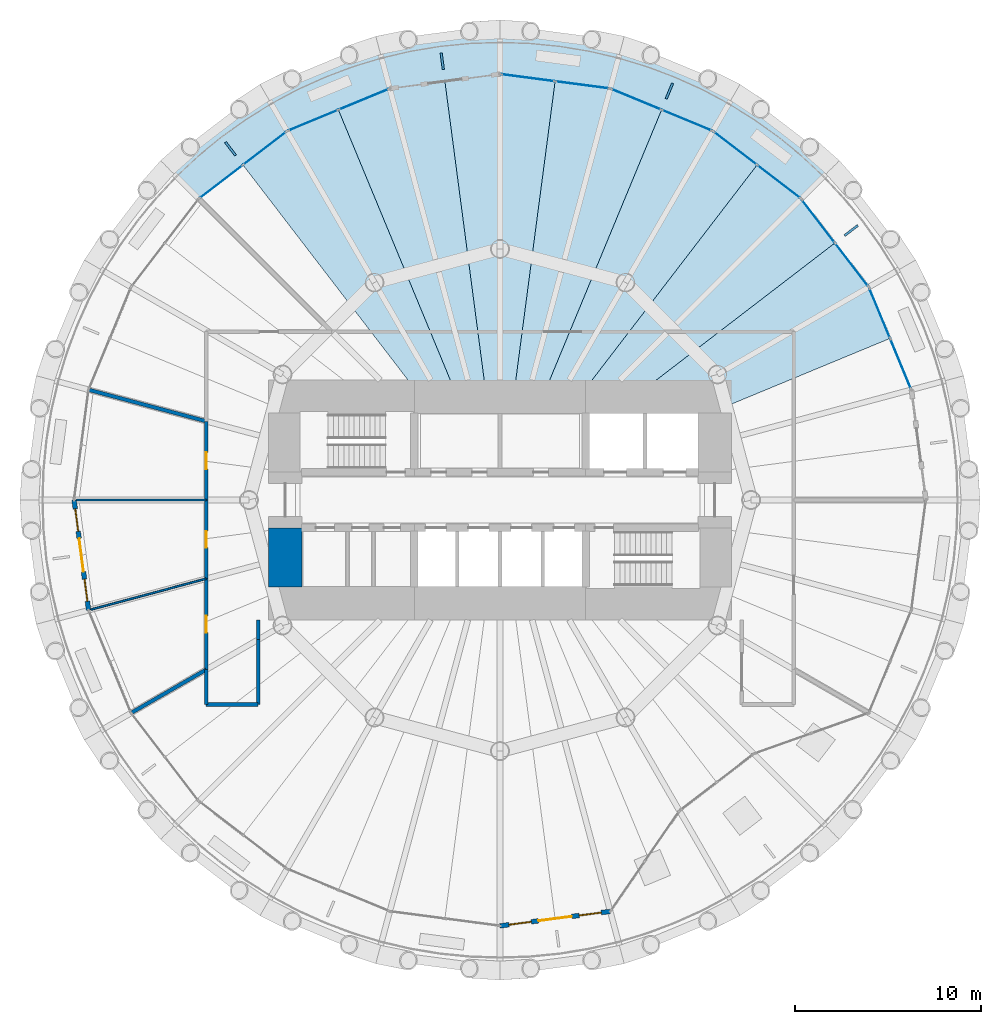
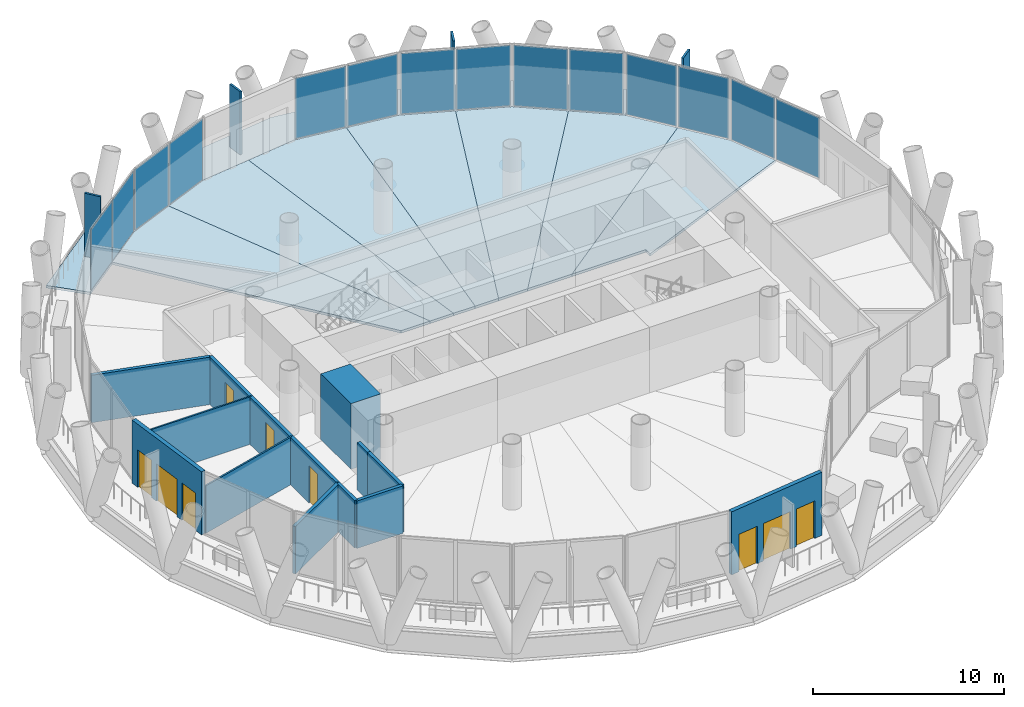
# One storey, part 9 of 15: 18 plates, 14 walls, 8 slabs, 5 doors, 4 windows, 9 openings, 7 elements without a shape of their own.
"""IFC4 building model written with IfcOpenShell, lengths in metres."""

from ifc_helpers import new_model, si_unit, direction, frame, frame_2d, origin, origin_2d, place, context, subcontext, project, spatial, polyline, rectangle, outline, extrude, material, layer, layer_set, type_object, element, fill, aggregate, save


model = new_model("IFC4")

# Units and contexts
model_context = context("Model", 3, precision=1e-05, world=origin(), true_north=direction((0.0, 1.0)))
body_context = subcontext(model_context, "Body", "Model", "MODEL_VIEW")
ifc_project = project(units=[si_unit("LENGTHUNIT", "METRE"), si_unit("AREAUNIT", "SQUARE_METRE"), si_unit("VOLUMEUNIT", "CUBIC_METRE"), si_unit("PLANEANGLEUNIT", "RADIAN"), si_unit("MASSUNIT", "GRAM", prefix="KILO")], contexts=[model_context])

# Site, building, storey
site_placement = place(None, origin())
site = spatial("IfcSite", under=ifc_project, at=site_placement, CompositionType="ELEMENT")
building_placement = place(site_placement, origin())
building = spatial("IfcBuilding", under=site, at=building_placement, Name="Qaws Media Tower", CompositionType="ELEMENT")
storey_placement = place(building_placement, frame((0.0, 0.0, 110.0)))
storey = spatial("IfcBuildingStorey", under=building, at=storey_placement, Name="L24", CompositionType="ELEMENT", Elevation=110.0)

# Slabs
ifc_material_1 = material(Name="Concrete C35/45", Category="concrete")
ifc_layer_1 = layer(ifc_material_1, 0.159912109375)
ifc_layer_set_1 = layer_set([ifc_layer_1], Name="Composite balcony slab 160")
slab_type_1 = type_object("IfcSlabType", Name="Composite balcony slab 160", PredefinedType="FLOOR", material=ifc_layer_set_1)
slab_1_placement = place(storey_placement, frame((0.0, 0.0, -0.159912109375)))
element("IfcSlab", 1, at=slab_1_placement, inside=storey, type_object=slab_type_1, Name="S2 balcony slab L24 R04 to R10, movement joints on R04 and R10", PredefinedType="FLOOR", context=body_context, shape_type="SweptSolid", body=[
    extrude(outline(polyline([(47.35009765625, 71.910400390625), (53.451904296875, 74.43798828125), (60.0, 75.300048828125), (66.548095703125, 74.43798828125), (72.64990234375, 71.910400390625), (77.889892578125, 67.889892578125), (76.192626953125, 66.192626953125), (71.449951171875, 69.83203125), (65.927001953125, 72.11962890625), (60.0, 72.89990234375), (54.072998046875, 72.11962890625), (48.550048828125, 69.83203125), (43.807373046875, 66.192626953125), (42.110107421875, 67.889892578125), (47.35009765625, 71.910400390625)])), origin(), (0.0, 0.0, 1.0), 0.159912109375),
])
ifc_material_2 = material(Name="Concrete C35/45", Category="concrete")
ifc_layer_2 = layer(ifc_material_2, 0.159912109375)
ifc_layer_set_2 = layer_set([ifc_layer_2], Name="Composite floor slab 160")
slab_type_2 = type_object("IfcSlabType", Name="Composite floor slab 160", PredefinedType="FLOOR", material=ifc_layer_set_2)
slab_2_placement = place(storey_placement, frame((0.0, 0.0, -0.159912109375)))
element("IfcSlab", 2, at=slab_2_placement, inside=storey, type_object=slab_type_2, Name="S1 floor panel L24 on R03", PredefinedType="FLOOR", context=body_context, shape_type="SweptSolid", body=[
    extrude(outline(polyline([(79.83203125, 61.449951171875), (80.975830078125, 58.6884765625), (71.0, 54.556396484375), (71.0, 55.0), (66.51611328125, 55.0), (78.012451171875, 63.8212890625), (79.83203125, 61.449951171875)])), origin(), (0.0, 0.0, 1.0), 0.159912109375),
])
slab_3_placement = place(storey_placement, frame((0.0, 0.0, -0.159912109375)))
element("IfcSlab", 3, at=slab_3_placement, inside=storey, type_object=slab_type_2, Name="S1 floor panel L24 on R04", PredefinedType="FLOOR", context=body_context, shape_type="SweptSolid", body=[
    extrude(outline(polyline([(76.192626953125, 66.192626953125), (78.012451171875, 63.8212890625), (66.51611328125, 55.0), (63.836669921875, 55.0), (73.8212890625, 68.012451171875), (76.192626953125, 66.192626953125)])), origin(), (0.0, 0.0, 1.0), 0.159912109375),
])
slab_4_placement = place(storey_placement, frame((0.0, 0.0, -0.159912109375)))
element("IfcSlab", 4, at=slab_4_placement, inside=storey, type_object=slab_type_2, Name="S1 floor panel L24 on R05", PredefinedType="FLOOR", context=body_context, shape_type="SweptSolid", body=[
    extrude(outline(polyline([(71.449951171875, 69.83203125), (73.8212890625, 68.012451171875), (63.836669921875, 55.0), (62.071044921875, 55.0), (68.6884765625, 70.975830078125), (71.449951171875, 69.83203125)])), origin(), (0.0, 0.0, 1.0), 0.159912109375),
])
slab_5_placement = place(storey_placement, frame((0.0, 0.0, -0.159912109375)))
element("IfcSlab", 5, at=slab_5_placement, inside=storey, type_object=slab_type_2, Name="S1 floor panel L24 on R06", PredefinedType="FLOOR", context=body_context, shape_type="SweptSolid", body=[
    extrude(outline(polyline([(65.927001953125, 72.11962890625), (68.6884765625, 70.975830078125), (62.071044921875, 55.0), (60.658203125, 55.0), (62.96337890625, 72.510009765625), (65.927001953125, 72.11962890625)])), origin(), (0.0, 0.0, 1.0), 0.159912109375),
])
slab_6_placement = place(storey_placement, frame((0.0, 0.0, -0.159912109375)))
element("IfcSlab", 6, at=slab_6_placement, inside=storey, type_object=slab_type_2, Name="S1 floor panel L24 on R07", PredefinedType="FLOOR", context=body_context, shape_type="SweptSolid", body=[
    extrude(outline(polyline([(60.0, 72.89990234375), (62.96337890625, 72.510009765625), (60.658203125, 55.0), (59.341796875, 55.0), (57.03662109375, 72.510009765625), (60.0, 72.89990234375)])), origin(), (0.0, 0.0, 1.0), 0.159912109375),
])
slab_7_placement = place(storey_placement, frame((0.0, 0.0, -0.159912109375)))
element("IfcSlab", 7, at=slab_7_placement, inside=storey, type_object=slab_type_2, Name="S1 floor panel L24 on R08", PredefinedType="FLOOR", context=body_context, shape_type="SweptSolid", body=[
    extrude(outline(polyline([(54.072998046875, 72.11962890625), (57.03662109375, 72.510009765625), (59.341796875, 55.0), (57.928955078125, 55.0), (51.3115234375, 70.975830078125), (54.072998046875, 72.11962890625)])), origin(), (0.0, 0.0, 1.0), 0.159912109375),
])
slab_8_placement = place(storey_placement, frame((0.0, 0.0, -0.159912109375)))
element("IfcSlab", 8, at=slab_8_placement, inside=storey, type_object=slab_type_2, Name="S1 floor panel L24 on R09", PredefinedType="FLOOR", context=body_context, shape_type="SweptSolid", body=[
    extrude(outline(polyline([(48.550048828125, 69.83203125), (51.3115234375, 70.975830078125), (57.928955078125, 55.0), (56.163330078125, 55.0), (46.1787109375, 68.012451171875), (48.550048828125, 69.83203125)])), origin(), (0.0, 0.0, 1.0), 0.159912109375),
])

# Curtain wall, plates
ifc_material_3 = material(Name="Aluminium and clear glass", Category="aluminium")
curtain_wall_type = type_object("IfcCurtainWallType", Name="Unitised curtain wall CW-B", PredefinedType="NOTDEFINED", material=ifc_material_3)
curtain_wall_1_placement = place(storey_placement, origin())
curtain_wall_1 = element("IfcCurtainWall", 9, at=curtain_wall_1_placement, inside=storey, type_object=curtain_wall_type, Name="CWB curtain wall L24-02", PredefinedType="NOTDEFINED")
ifc_material_4 = material(Name="Clear laminated double glazing", Category="glass")
ifc_layer_3 = layer(ifc_material_4, 0.031982421875)
ifc_layer_set_3 = layer_set([ifc_layer_3], Name="Curtain wall glass unit 32")
plate_type_1 = type_object("IfcPlateType", Name="Curtain wall glass unit 32", PredefinedType="CURTAIN_PANEL", material=ifc_layer_set_3)
plate_1_placement = place(storey_placement, frame((81.5400390625, 57.326171875, 0.080078125), z_axis=(0.0, 0.0, 1.0), x_axis=(-0.382683328086, 0.923879575705, 0.0)))
plate_1 = element("IfcPlate", 10, at=plate_1_placement, type_object=plate_type_1, Name="CWB panel 1.1", PredefinedType="CURTAIN_PANEL", context=body_context, shape_type="SweptSolid", body=[
    extrude(rectangle(XDim=2.869140625, YDim=0.031982421875, at=origin_2d()), origin(), (0.0, 0.0, 1.0), 3.8798828125),
])
plate_2_placement = place(storey_placement, frame((80.41162109375, 60.05078125, 0.080078125), z_axis=(0.0, 0.0, 1.0), x_axis=(-0.382683328086, 0.923879575705, 0.0)))
plate_2 = element("IfcPlate", 11, at=plate_2_placement, type_object=plate_type_1, Name="CWB panel 2.1", PredefinedType="CURTAIN_PANEL", context=body_context, shape_type="SweptSolid", body=[
    extrude(rectangle(XDim=2.869140625, YDim=0.031982421875, at=origin_2d()), origin(), (0.0, 0.0, 1.0), 3.8798828125),
])
aggregate(curtain_wall_1, [plate_1, plate_2])

curtain_wall_2_placement = place(storey_placement, origin())
curtain_wall_2 = element("IfcCurtainWall", 12, at=curtain_wall_2_placement, inside=storey, type_object=curtain_wall_type, Name="CWB curtain wall L24-03", PredefinedType="NOTDEFINED")
plate_3_placement = place(storey_placement, frame((78.909912109375, 62.651611328125, 0.080078125), z_axis=(0.0, 0.0, 1.0), x_axis=(-0.608761509485, 0.793353278539, 0.0)))
plate_3 = element("IfcPlate", 13, at=plate_3_placement, type_object=plate_type_1, Name="CWB panel 1.1", PredefinedType="CURTAIN_PANEL", context=body_context, shape_type="SweptSolid", body=[
    extrude(rectangle(XDim=2.869140625, YDim=0.031982421875, at=origin_2d()), origin(), (0.0, 0.0, 1.0), 3.8798828125),
])
plate_4_placement = place(storey_placement, frame((77.11474609375, 64.9912109375, 0.080078125), z_axis=(0.0, 0.0, 1.0), x_axis=(-0.608761509485, 0.793353278539, 0.0)))
plate_4 = element("IfcPlate", 14, at=plate_4_placement, type_object=plate_type_1, Name="CWB panel 2.1", PredefinedType="CURTAIN_PANEL", context=body_context, shape_type="SweptSolid", body=[
    extrude(rectangle(XDim=2.869140625, YDim=0.031982421875, at=origin_2d()), origin(), (0.0, 0.0, 1.0), 3.8798828125),
])
aggregate(curtain_wall_2, [plate_3, plate_4])

curtain_wall_3_placement = place(storey_placement, origin())
curtain_wall_3 = element("IfcCurtainWall", 15, at=curtain_wall_3_placement, inside=storey, type_object=curtain_wall_type, Name="CWB curtain wall L24-04", PredefinedType="NOTDEFINED")
plate_5_placement = place(storey_placement, frame((74.9912109375, 67.11474609375, 0.080078125), z_axis=(0.0, 0.0, 1.0), x_axis=(-0.793353278539, 0.608761509485, 0.0)))
plate_5 = element("IfcPlate", 16, at=plate_5_placement, type_object=plate_type_1, Name="CWB panel 1.1", PredefinedType="CURTAIN_PANEL", context=body_context, shape_type="SweptSolid", body=[
    extrude(rectangle(XDim=2.869140625, YDim=0.031982421875, at=origin_2d()), origin(), (0.0, 0.0, 1.0), 3.8798828125),
])
plate_6_placement = place(storey_placement, frame((72.651611328125, 68.909912109375, 0.080078125), z_axis=(0.0, 0.0, 1.0), x_axis=(-0.793353278539, 0.608761509485, 0.0)))
plate_6 = element("IfcPlate", 17, at=plate_6_placement, type_object=plate_type_1, Name="CWB panel 2.1", PredefinedType="CURTAIN_PANEL", context=body_context, shape_type="SweptSolid", body=[
    extrude(rectangle(XDim=2.869140625, YDim=0.031982421875, at=origin_2d()), origin(), (0.0, 0.0, 1.0), 3.8798828125),
])
aggregate(curtain_wall_3, [plate_5, plate_6])

curtain_wall_4_placement = place(storey_placement, origin())
curtain_wall_4 = element("IfcCurtainWall", 18, at=curtain_wall_4_placement, inside=storey, type_object=curtain_wall_type, Name="CWB curtain wall L24-05", PredefinedType="NOTDEFINED")
plate_7_placement = place(storey_placement, frame((70.05078125, 70.41162109375, 0.080078125), z_axis=(0.0, 0.0, 1.0), x_axis=(-0.923879575705, 0.382683328086, 0.0)))
plate_7 = element("IfcPlate", 19, at=plate_7_placement, type_object=plate_type_1, Name="CWB panel 1.1", PredefinedType="CURTAIN_PANEL", context=body_context, shape_type="SweptSolid", body=[
    extrude(rectangle(XDim=2.869140625, YDim=0.031982421875, at=origin_2d()), origin(), (0.0, 0.0, 1.0), 3.8798828125),
])
plate_8_placement = place(storey_placement, frame((67.326171875, 71.5400390625, 0.080078125), z_axis=(0.0, 0.0, 1.0), x_axis=(-0.923879575705, 0.382683328086, 0.0)))
plate_8 = element("IfcPlate", 20, at=plate_8_placement, type_object=plate_type_1, Name="CWB panel 2.1", PredefinedType="CURTAIN_PANEL", context=body_context, shape_type="SweptSolid", body=[
    extrude(rectangle(XDim=2.869140625, YDim=0.031982421875, at=origin_2d()), origin(), (0.0, 0.0, 1.0), 3.8798828125),
])
aggregate(curtain_wall_4, [plate_7, plate_8])

curtain_wall_5_placement = place(storey_placement, origin())
curtain_wall_5 = element("IfcCurtainWall", 21, at=curtain_wall_5_placement, inside=storey, type_object=curtain_wall_type, Name="CWB curtain wall L24-06", PredefinedType="NOTDEFINED")
plate_9_placement = place(storey_placement, frame((64.42529296875, 72.3173828125, 0.080078125), z_axis=(0.0, 0.0, 1.0), x_axis=(-0.99144485186, 0.130526264481, 0.0)))
plate_9 = element("IfcPlate", 22, at=plate_9_placement, type_object=plate_type_1, Name="CWB panel 1.1", PredefinedType="CURTAIN_PANEL", context=body_context, shape_type="SweptSolid", body=[
    extrude(rectangle(XDim=2.869140625, YDim=0.031982421875, at=origin_2d()), origin(), (0.0, 0.0, 1.0), 3.8798828125),
])
plate_10_placement = place(storey_placement, frame((61.50146484375, 72.702392578125, 0.080078125), z_axis=(0.0, 0.0, 1.0), x_axis=(-0.99144485186, 0.130526264481, 0.0)))
plate_10 = element("IfcPlate", 23, at=plate_10_placement, type_object=plate_type_1, Name="CWB panel 2.1", PredefinedType="CURTAIN_PANEL", context=body_context, shape_type="SweptSolid", body=[
    extrude(rectangle(XDim=2.869140625, YDim=0.031982421875, at=origin_2d()), origin(), (0.0, 0.0, 1.0), 3.8798828125),
])
aggregate(curtain_wall_5, [plate_9, plate_10])

curtain_wall_6_placement = place(storey_placement, origin())
curtain_wall_6 = element("IfcCurtainWall", 24, at=curtain_wall_6_placement, inside=storey, type_object=curtain_wall_type, Name="CWB curtain wall L24-08", PredefinedType="NOTDEFINED")
plate_11_placement = place(storey_placement, frame((52.673828125, 71.5400390625, 0.080078125), z_axis=(0.0, 0.0, 1.0), x_axis=(-0.923879575705, -0.382683328086, 0.0)))
plate_11 = element("IfcPlate", 25, at=plate_11_placement, type_object=plate_type_1, Name="CWB panel 1.1", PredefinedType="CURTAIN_PANEL", context=body_context, shape_type="SweptSolid", body=[
    extrude(rectangle(XDim=2.869140625, YDim=0.031982421875, at=origin_2d()), origin(), (0.0, 0.0, 1.0), 3.8798828125),
])
plate_12_placement = place(storey_placement, frame((49.94921875, 70.41162109375, 0.080078125), z_axis=(0.0, 0.0, 1.0), x_axis=(-0.923879575705, -0.382683328086, 0.0)))
plate_12 = element("IfcPlate", 26, at=plate_12_placement, type_object=plate_type_1, Name="CWB panel 2.1", PredefinedType="CURTAIN_PANEL", context=body_context, shape_type="SweptSolid", body=[
    extrude(rectangle(XDim=2.869140625, YDim=0.031982421875, at=origin_2d()), origin(), (0.0, 0.0, 1.0), 3.8798828125),
])
aggregate(curtain_wall_6, [plate_11, plate_12])

curtain_wall_7_placement = place(storey_placement, origin())
curtain_wall_7 = element("IfcCurtainWall", 27, at=curtain_wall_7_placement, inside=storey, type_object=curtain_wall_type, Name="CWB curtain wall L24-09", PredefinedType="NOTDEFINED")
plate_13_placement = place(storey_placement, frame((47.348388671875, 68.909912109375, 0.080078125), z_axis=(0.0, 0.0, 1.0), x_axis=(-0.793353278539, -0.608761509485, 0.0)))
plate_13 = element("IfcPlate", 28, at=plate_13_placement, type_object=plate_type_1, Name="CWB panel 1.1", PredefinedType="CURTAIN_PANEL", context=body_context, shape_type="SweptSolid", body=[
    extrude(rectangle(XDim=2.869140625, YDim=0.031982421875, at=origin_2d()), origin(), (0.0, 0.0, 1.0), 3.8798828125),
])
plate_14_placement = place(storey_placement, frame((45.0087890625, 67.11474609375, 0.080078125), z_axis=(0.0, 0.0, 1.0), x_axis=(-0.793353278539, -0.608761509485, 0.0)))
plate_14 = element("IfcPlate", 29, at=plate_14_placement, type_object=plate_type_1, Name="CWB panel 2.1", PredefinedType="CURTAIN_PANEL", context=body_context, shape_type="SweptSolid", body=[
    extrude(rectangle(XDim=2.869140625, YDim=0.031982421875, at=origin_2d()), origin(), (0.0, 0.0, 1.0), 3.8798828125),
])
aggregate(curtain_wall_7, [plate_13, plate_14])

# Plates
ifc_material_5 = material(Name="Precast concrete screen fin", Category="concrete")
ifc_layer_4 = layer(ifc_material_5, 0.1201171875)
ifc_layer_set_4 = layer_set([ifc_layer_4], Name="Screen fin 120x900")
plate_type_2 = type_object("IfcPlateType", Name="Screen fin 120x900", PredefinedType="USERDEFINED", material=ifc_layer_set_4)
for number, where, z_axis, x_axis, name in (
    (30, (78.8818359375, 64.488525390625, 0.0), (0.0, 0.0, 1.0), (0.793353340291, 0.608761429009, 0.0), "SCR1 screen fin L24-02"),
    (31, (69.10791015625, 71.98828125, 0.0), (0.0, 0.0, 1.0), (0.382683432365, 0.923879532511, 0.0), "SCR1 screen fin L24-03"),
    (32, (56.8935546875, 73.596435546875, 0.0), (0.0, 0.0, 1.0), (-0.13052619222, 0.991444861374, 0.0), "SCR1 screen fin L24-04"),
    (33, (45.511474609375, 68.8818359375, 0.0), (0.0, 0.0, 1.0), (-0.608761429009, 0.793353340291, 0.0), "SCR1 screen fin L24-05"),
):
    element("IfcPlate", number, at=place(storey_placement, frame(where, z_axis=z_axis, x_axis=x_axis)), inside=storey, type_object=plate_type_2, Name=name, ObjectType="SCREEN", PredefinedType="USERDEFINED", context=body_context, shape_type="SweptSolid", body=[
        extrude(rectangle(XDim=0.89990234375, YDim=0.1201171875, at=origin_2d()), origin(), (0.0, 0.0, 1.0), 4.0400390625),
    ])

# Wall, openings, door, windows
ifc_material_6 = material(Name="Precast concrete, exposed finish", Category="concrete")
ifc_layer_5 = layer(ifc_material_6, 0.25)
ifc_layer_set_5 = layer_set([ifc_layer_5], Name="Balcony door wall 250")
wall_type_1 = type_object("IfcWallType", Name="Balcony door wall 250", PredefinedType="SOLIDWALL", material=ifc_layer_set_5)
wall_1_placement = place(storey_placement, frame((37.10009765625, 50.0, 0.0), z_axis=(0.0, 0.0, 1.0), x_axis=(0.130521066589, -0.991445536162, 0.0)))
wall_1 = element("IfcWall", 34, at=wall_1_placement, inside=storey, type_object=wall_type_1, Name="W170 EW1 balcony door wall L24-13", PredefinedType="SOLIDWALL", context=body_context, shape_type="SweptSolid", body=[
    extrude(rectangle(XDim=5.97802734375, YDim=0.25, at=frame_2d((2.989013671875, 0.0))), origin(), (0.0, 0.0, 1.0), 4.0400390625),
])
opening_1_placement = place(wall_1_placement, frame((2.089111328125, 0.0, 0.0)))
opening_1 = element("IfcOpeningElement", 35, at=opening_1_placement, cuts=wall_1, Name="Opening D7", PredefinedType="OPENING", context=body_context, shape_type="SweptSolid", body=[
    extrude(rectangle(XDim=1.800048828125, YDim=2.39990234375, at=frame_2d((0.89990234375, 1.199951171875))), frame((0.0, 0.135009765625, 0.0), z_axis=(0.0, -1.0, 0.0), x_axis=(1.0, 0.0, 0.0)), (0.0, 0.0, 1.0), 0.27001953125),
])
opening_2_placement = place(wall_1_placement, frame((0.489013671875, 0.0, 0.0)))
opening_2 = element("IfcOpeningElement", 36, at=opening_2_placement, cuts=wall_1, Name="Opening W1", PredefinedType="OPENING", context=body_context, shape_type="SweptSolid", body=[
    extrude(rectangle(XDim=1.199951171875, YDim=2.39990234375, at=frame_2d((0.60009765625, 1.199951171875))), frame((0.0, 0.135009765625, 0.0), z_axis=(0.0, -1.0, 0.0), x_axis=(1.0, 0.0, 0.0)), (0.0, 0.0, 1.0), 0.27001953125),
])
opening_3_placement = place(wall_1_placement, frame((4.2890625, 0.0, 0.0)))
opening_3 = element("IfcOpeningElement", 37, at=opening_3_placement, cuts=wall_1, Name="Opening W1", PredefinedType="OPENING", context=body_context, shape_type="SweptSolid", body=[
    extrude(rectangle(XDim=1.199951171875, YDim=2.39990234375, at=frame_2d((0.60009765625, 1.199951171875))), frame((0.0, 0.135009765625, 0.0), z_axis=(0.0, -1.0, 0.0), x_axis=(1.0, 0.0, 0.0)), (0.0, 0.0, 1.0), 0.27001953125),
])
ifc_material_7 = material(Name="Aluminium and clear glass", Category="aluminium")
door_type_1 = type_object("IfcDoorType", Name="Balcony door pair 1800", OperationType="DOUBLE_DOOR_SLIDING", PredefinedType="DOOR", material=ifc_material_7)
door_1_placement = place(opening_1_placement, origin())
door_1 = element("IfcDoor", 38, at=door_1_placement, inside=storey, type_object=door_type_1, Name="D7 balcony door L24-13 in wall W170", OperationType="DOUBLE_DOOR_SLIDING", OverallHeight=2.39990234375, OverallWidth=1.800048828125, PredefinedType="DOOR", context=body_context, shape_type="SweptSolid", body=[
    extrude(rectangle(XDim=1.800048828125, YDim=2.39990234375, at=frame_2d((0.89990234375, 1.199951171875))), frame((0.0, 0.02490234375, 0.0), z_axis=(0.0, -1.0, 0.0), x_axis=(1.0, 0.0, 0.0)), (0.0, 0.0, 1.0), 0.050048828125),
])
fill(opening_1, door_1)
ifc_material_8 = material(Name="Aluminium and clear glass", Category="aluminium")
window_type = type_object("IfcWindowType", Name="Balcony side window 1200", PartitioningType="SINGLE_PANEL", PredefinedType="WINDOW", material=ifc_material_8)
window_1_placement = place(opening_2_placement, origin())
window_1 = element("IfcWindow", 39, at=window_1_placement, inside=storey, type_object=window_type, Name="W1 balcony side light L24-13L", OverallHeight=2.39990234375, OverallWidth=1.199951171875, PartitioningType="SINGLE_PANEL", PredefinedType="WINDOW", context=body_context, shape_type="SweptSolid", body=[
    extrude(rectangle(XDim=1.199951171875, YDim=2.39990234375, at=frame_2d((0.60009765625, 1.199951171875))), frame((0.0, 0.030029296875, 0.0), z_axis=(0.0, -1.0, 0.0), x_axis=(1.0, 0.0, 0.0)), (0.0, 0.0, 1.0), 0.06005859375),
])
fill(opening_2, window_1)
window_2_placement = place(opening_3_placement, origin())
window_2 = element("IfcWindow", 40, at=window_2_placement, inside=storey, type_object=window_type, Name="W1 balcony side light L24-13R", OverallHeight=2.39990234375, OverallWidth=1.199951171875, PartitioningType="SINGLE_PANEL", PredefinedType="WINDOW", context=body_context, shape_type="SweptSolid", body=[
    extrude(rectangle(XDim=1.199951171875, YDim=2.39990234375, at=frame_2d((0.60009765625, 1.199951171875))), frame((0.0, 0.030029296875, 0.0), z_axis=(0.0, -1.0, 0.0), x_axis=(1.0, 0.0, 0.0)), (0.0, 0.0, 1.0), 0.06005859375),
])
fill(opening_3, window_2)

wall_2_placement = place(storey_placement, frame((60.0, 27.10009765625, 0.0), z_axis=(0.0, 0.0, 1.0), x_axis=(0.991445536162, 0.130521066589, 0.0)))
wall_2 = element("IfcWall", 41, at=wall_2_placement, inside=storey, type_object=wall_type_1, Name="W171 EW1 balcony door wall L24-19", PredefinedType="SOLIDWALL", context=body_context, shape_type="SweptSolid", body=[
    extrude(rectangle(XDim=5.97802734375, YDim=0.25, at=frame_2d((2.989013671875, 0.0))), origin(), (0.0, 0.0, 1.0), 4.0400390625),
])
opening_4_placement = place(wall_2_placement, frame((2.089111328125, 0.0, 0.0)))
opening_4 = element("IfcOpeningElement", 42, at=opening_4_placement, cuts=wall_2, Name="Opening D7", PredefinedType="OPENING", context=body_context, shape_type="SweptSolid", body=[
    extrude(rectangle(XDim=1.800048828125, YDim=2.39990234375, at=frame_2d((0.89990234375, 1.199951171875))), frame((0.0, 0.135009765625, 0.0), z_axis=(0.0, -1.0, 0.0), x_axis=(1.0, 0.0, 0.0)), (0.0, 0.0, 1.0), 0.27001953125),
])
opening_5_placement = place(wall_2_placement, frame((0.489013671875, 0.0, 0.0)))
opening_5 = element("IfcOpeningElement", 43, at=opening_5_placement, cuts=wall_2, Name="Opening W1", PredefinedType="OPENING", context=body_context, shape_type="SweptSolid", body=[
    extrude(rectangle(XDim=1.199951171875, YDim=2.39990234375, at=frame_2d((0.60009765625, 1.199951171875))), frame((0.0, 0.135009765625, 0.0), z_axis=(0.0, -1.0, 0.0), x_axis=(1.0, 0.0, 0.0)), (0.0, 0.0, 1.0), 0.27001953125),
])
opening_6_placement = place(wall_2_placement, frame((4.2890625, 0.0, 0.0)))
opening_6 = element("IfcOpeningElement", 44, at=opening_6_placement, cuts=wall_2, Name="Opening W1", PredefinedType="OPENING", context=body_context, shape_type="SweptSolid", body=[
    extrude(rectangle(XDim=1.199951171875, YDim=2.39990234375, at=frame_2d((0.60009765625, 1.199951171875))), frame((0.0, 0.135009765625, 0.0), z_axis=(0.0, -1.0, 0.0), x_axis=(1.0, 0.0, 0.0)), (0.0, 0.0, 1.0), 0.27001953125),
])
door_2_placement = place(opening_4_placement, origin())
door_2 = element("IfcDoor", 45, at=door_2_placement, inside=storey, type_object=door_type_1, Name="D7 balcony door L24-19 in wall W171", OperationType="DOUBLE_DOOR_SLIDING", OverallHeight=2.39990234375, OverallWidth=1.800048828125, PredefinedType="DOOR", context=body_context, shape_type="SweptSolid", body=[
    extrude(rectangle(XDim=1.800048828125, YDim=2.39990234375, at=frame_2d((0.89990234375, 1.199951171875))), frame((0.0, 0.02490234375, 0.0), z_axis=(0.0, -1.0, 0.0), x_axis=(1.0, 0.0, 0.0)), (0.0, 0.0, 1.0), 0.050048828125),
])
fill(opening_4, door_2)
window_3_placement = place(opening_5_placement, origin())
window_3 = element("IfcWindow", 46, at=window_3_placement, inside=storey, type_object=window_type, Name="W1 balcony side light L24-19L", OverallHeight=2.39990234375, OverallWidth=1.199951171875, PartitioningType="SINGLE_PANEL", PredefinedType="WINDOW", context=body_context, shape_type="SweptSolid", body=[
    extrude(rectangle(XDim=1.199951171875, YDim=2.39990234375, at=frame_2d((0.60009765625, 1.199951171875))), frame((0.0, 0.030029296875, 0.0), z_axis=(0.0, -1.0, 0.0), x_axis=(1.0, 0.0, 0.0)), (0.0, 0.0, 1.0), 0.06005859375),
])
fill(opening_5, window_3)
window_4_placement = place(opening_6_placement, origin())
window_4 = element("IfcWindow", 47, at=window_4_placement, inside=storey, type_object=window_type, Name="W1 balcony side light L24-19R", OverallHeight=2.39990234375, OverallWidth=1.199951171875, PartitioningType="SINGLE_PANEL", PredefinedType="WINDOW", context=body_context, shape_type="SweptSolid", body=[
    extrude(rectangle(XDim=1.199951171875, YDim=2.39990234375, at=frame_2d((0.60009765625, 1.199951171875))), frame((0.0, 0.030029296875, 0.0), z_axis=(0.0, -1.0, 0.0), x_axis=(1.0, 0.0, 0.0)), (0.0, 0.0, 1.0), 0.06005859375),
])
fill(opening_6, window_4)

# Walls
ifc_material_9 = material(Name="Concrete C60/75", Category="concrete")
ifc_layer_6 = layer(ifc_material_9, 1.800048828125)
ifc_layer_set_6 = layer_set([ifc_layer_6], Name="Core wall 1800")
wall_type_2 = type_object("IfcWallType", Name="Core wall 1800", PredefinedType="SHEAR", material=ifc_layer_set_6)
wall_3_placement = place(storey_placement, frame((48.449951171875, 45.330078125, 0.0), z_axis=(0.0, 0.0, 1.0), x_axis=(0.0, 1.0, 0.0)))
element("IfcWall", 48, at=wall_3_placement, inside=storey, type_object=wall_type_2, Name="W418 SW11 core wall WS L24", PredefinedType="SHEAR", context=body_context, shape_type="SweptSolid", body=[
    extrude(rectangle(XDim=3.169921875, YDim=1.800048828125, at=frame_2d((1.5849609375, 0.0))), origin(), (0.0, 0.0, 1.0), 4.199951171875),
])
ifc_material_10 = material(Name="Gypsum board on 70 metal studs, single layer each side", Category="gypsum")
ifc_layer_7 = layer(ifc_material_10, 0.10009765625)
ifc_layer_set_7 = layer_set([ifc_layer_7], Name="Office stud partition 100")
wall_type_3 = type_object("IfcWallType", Name="Office stud partition 100", PredefinedType="PARTITIONING", material=ifc_layer_set_7)
wall_4_placement = place(storey_placement, frame((44.199951171875, 50.0, 0.0), z_axis=(0.0, 0.0, 1.0), x_axis=(-1.0, 0.0, 0.0)))
element("IfcWall", 49, at=wall_4_placement, inside=storey, type_object=wall_type_3, Name="W655 IW4 partition L24", PredefinedType="PARTITIONING", context=body_context, shape_type="SweptSolid", body=[
    extrude(rectangle(XDim=6.9599609375, YDim=0.10009765625, at=frame_2d((3.47998046875, 0.0))), origin(), (0.0, 0.0, 1.0), 3.0400390625),
])
wall_5_placement = place(storey_placement, frame((44.197509765625, 45.765625, 0.0), z_axis=(0.0, 0.0, 1.0), x_axis=(-0.965935452272, -0.258783117772, 0.0)))
element("IfcWall", 50, at=wall_5_placement, inside=storey, type_object=wall_type_3, Name="W654 IW4 partition L24", PredefinedType="PARTITIONING", context=body_context, shape_type="SweptSolid", body=[
    extrude(rectangle(XDim=6.400146484375, YDim=0.10009765625, at=frame_2d((3.2001953125, 0.0))), origin(), (0.0, 0.0, 1.0), 3.0400390625),
])
ifc_material_11 = material(Name="Gypsum board on galvanised metal studs, acoustic double stud, deflection head", Category="gypsum")
ifc_layer_8 = layer(ifc_material_11, 0.199951171875)
ifc_layer_set_8 = layer_set([ifc_layer_8], Name="Room partition 200")
wall_type_4 = type_object("IfcWallType", Name="Room partition 200", PredefinedType="PARTITIONING", material=ifc_layer_set_8)
wall_6_placement = place(storey_placement, frame((47.0, 43.550048828125, 0.0), z_axis=(0.0, 0.0, 1.0), x_axis=(0.0, -1.0, 0.0)))
element("IfcWall", 51, at=wall_6_placement, inside=storey, type_object=wall_type_4, Name="W1224 IW3 partition L24", PredefinedType="PARTITIONING", context=body_context, shape_type="SweptSolid", body=[
    extrude(rectangle(XDim=1.0556640625, YDim=0.199951171875, at=frame_2d((0.52783203125, 0.0))), origin(), (0.0, 0.0, 1.0), 3.0400390625),
])
wall_7_placement = place(storey_placement, frame((47.0, 42.494384765625, 0.0), z_axis=(0.0, 0.0, 1.0), x_axis=(0.0, -1.0, 0.0)))
element("IfcWall", 52, at=wall_7_placement, inside=storey, type_object=wall_type_4, Name="W1223 IW3 partition L24", PredefinedType="PARTITIONING", context=body_context, shape_type="SweptSolid", body=[
    extrude(rectangle(XDim=3.494384765625, YDim=0.199951171875, at=frame_2d((1.7470703125, 0.0))), origin(), (0.0, 0.0, 1.0), 3.0400390625),
])
wall_8_placement = place(storey_placement, frame((47.0, 39.0, 0.0), z_axis=(0.0, 0.0, 1.0), x_axis=(-1.0, 0.0, 0.0)))
element("IfcWall", 53, at=wall_8_placement, inside=storey, type_object=wall_type_4, Name="W1222 IW3 partition L24", PredefinedType="PARTITIONING", context=body_context, shape_type="SweptSolid", body=[
    extrude(rectangle(XDim=2.800048828125, YDim=0.199951171875, at=frame_2d((1.39990234375, 0.0))), origin(), (0.0, 0.0, 1.0), 3.0400390625),
])
wall_9_placement = place(storey_placement, frame((44.199951171875, 39.0, 0.0), z_axis=(0.0, 0.0, 1.0), x_axis=(0.0, 1.0, 0.0)))
element("IfcWall", 54, at=wall_9_placement, inside=storey, type_object=wall_type_4, Name="W1215 IW3 partition L24", PredefinedType="PARTITIONING", context=body_context, shape_type="SweptSolid", body=[
    extrude(rectangle(XDim=1.8779296875, YDim=0.199951171875, at=frame_2d((0.93896484375, 0.0))), origin(), (0.0, 0.0, 1.0), 3.0400390625),
])

# Wall, opening, door
wall_10_placement = place(storey_placement, frame((44.199951171875, 40.8779296875, 0.0), z_axis=(0.0, 0.0, 1.0), x_axis=(0.0, 1.0, 0.0)))
wall_10 = element("IfcWall", 55, at=wall_10_placement, inside=storey, type_object=wall_type_4, Name="W1216 IW3 partition L24", PredefinedType="PARTITIONING", context=body_context, shape_type="SweptSolid", body=[
    extrude(rectangle(XDim=4.888427734375, YDim=0.199951171875, at=frame_2d((2.4443359375, 0.0))), origin(), (0.0, 0.0, 1.0), 3.0400390625),
])
opening_7_placement = place(wall_10_placement, frame((1.994384765625, 0.0, 0.0)))
opening_7 = element("IfcOpeningElement", 56, at=opening_7_placement, cuts=wall_10, Name="Opening D12", PredefinedType="OPENING", context=body_context, shape_type="SweptSolid", body=[
    extrude(rectangle(XDim=0.89990234375, YDim=2.39990234375, at=frame_2d((0.449951171875, 1.199951171875))), frame((0.0, 0.10986328125, 0.0), z_axis=(0.0, -1.0, 0.0), x_axis=(1.0, 0.0, 0.0)), (0.0, 0.0, 1.0), 0.219970703125),
])
ifc_material_12 = material(Name="Timber veneered, full height", Category="wood")
door_type_2 = type_object("IfcDoorType", Name="Office door 900x2400", OperationType="SINGLE_SWING_LEFT", PredefinedType="DOOR", material=ifc_material_12)
door_3_placement = place(opening_7_placement, origin())
door_3 = element("IfcDoor", 57, at=door_3_placement, inside=storey, type_object=door_type_2, Name="D12 Office door L24 in wall W1216", OperationType="SINGLE_SWING_LEFT", OverallHeight=2.39990234375, OverallWidth=0.89990234375, PredefinedType="DOOR", context=body_context, shape_type="SweptSolid", body=[
    extrude(rectangle(XDim=0.89990234375, YDim=2.39990234375, at=frame_2d((0.449951171875, 1.199951171875))), frame((0.0, 0.02490234375, 0.0), z_axis=(0.0, -1.0, 0.0), x_axis=(1.0, 0.0, 0.0)), (0.0, 0.0, 1.0), 0.050048828125),
])
fill(opening_7, door_3)

wall_11_placement = place(storey_placement, frame((44.199951171875, 45.766357421875, 0.0), z_axis=(0.0, 0.0, 1.0), x_axis=(0.0, 1.0, 0.0)))
wall_11 = element("IfcWall", 58, at=wall_11_placement, inside=storey, type_object=wall_type_4, Name="W1217 IW3 partition L24", PredefinedType="PARTITIONING", context=body_context, shape_type="SweptSolid", body=[
    extrude(rectangle(XDim=4.233642578125, YDim=0.199951171875, at=frame_2d((2.11669921875, 0.0))), origin(), (0.0, 0.0, 1.0), 3.0400390625),
])
opening_8_placement = place(wall_11_placement, frame((1.666748046875, 0.0, 0.0)))
opening_8 = element("IfcOpeningElement", 59, at=opening_8_placement, cuts=wall_11, Name="Opening D12", PredefinedType="OPENING", context=body_context, shape_type="SweptSolid", body=[
    extrude(rectangle(XDim=0.89990234375, YDim=2.39990234375, at=frame_2d((0.449951171875, 1.199951171875))), frame((0.0, 0.10986328125, 0.0), z_axis=(0.0, -1.0, 0.0), x_axis=(1.0, 0.0, 0.0)), (0.0, 0.0, 1.0), 0.219970703125),
])
door_4_placement = place(opening_8_placement, origin())
door_4 = element("IfcDoor", 60, at=door_4_placement, inside=storey, type_object=door_type_2, Name="D12 Office door L24 in wall W1217", OperationType="SINGLE_SWING_LEFT", OverallHeight=2.39990234375, OverallWidth=0.89990234375, PredefinedType="DOOR", context=body_context, shape_type="SweptSolid", body=[
    extrude(rectangle(XDim=0.89990234375, YDim=2.39990234375, at=frame_2d((0.449951171875, 1.199951171875))), frame((0.0, 0.02490234375, 0.0), z_axis=(0.0, -1.0, 0.0), x_axis=(1.0, 0.0, 0.0)), (0.0, 0.0, 1.0), 0.050048828125),
])
fill(opening_8, door_4)

wall_12_placement = place(storey_placement, frame((44.199951171875, 50.0, 0.0), z_axis=(0.0, 0.0, 1.0), x_axis=(0.0, 1.0, 0.0)))
wall_12 = element("IfcWall", 61, at=wall_12_placement, inside=storey, type_object=wall_type_4, Name="W1218 IW3 partition L24", PredefinedType="PARTITIONING", context=body_context, shape_type="SweptSolid", body=[
    extrude(rectangle(XDim=4.233642578125, YDim=0.199951171875, at=frame_2d((2.11669921875, 0.0))), origin(), (0.0, 0.0, 1.0), 3.0400390625),
])
opening_9_placement = place(wall_12_placement, frame((1.666748046875, 0.0, 0.0)))
opening_9 = element("IfcOpeningElement", 62, at=opening_9_placement, cuts=wall_12, Name="Opening D12", PredefinedType="OPENING", context=body_context, shape_type="SweptSolid", body=[
    extrude(rectangle(XDim=0.89990234375, YDim=2.39990234375, at=frame_2d((0.449951171875, 1.199951171875))), frame((0.0, 0.10986328125, 0.0), z_axis=(0.0, -1.0, 0.0), x_axis=(1.0, 0.0, 0.0)), (0.0, 0.0, 1.0), 0.219970703125),
])
door_5_placement = place(opening_9_placement, origin())
door_5 = element("IfcDoor", 63, at=door_5_placement, inside=storey, type_object=door_type_2, Name="D12 Office door L24 in wall W1218", OperationType="SINGLE_SWING_LEFT", OverallHeight=2.39990234375, OverallWidth=0.89990234375, PredefinedType="DOOR", context=body_context, shape_type="SweptSolid", body=[
    extrude(rectangle(XDim=0.89990234375, YDim=2.39990234375, at=frame_2d((0.449951171875, 1.199951171875))), frame((0.0, 0.02490234375, 0.0), z_axis=(0.0, -1.0, 0.0), x_axis=(1.0, 0.0, 0.0)), (0.0, 0.0, 1.0), 0.050048828125),
])
fill(opening_9, door_5)

# Walls
wall_13_placement = place(storey_placement, frame((44.197509765625, 54.234375, 0.0), z_axis=(0.0, 0.0, 1.0), x_axis=(-0.965933801552, 0.258789279181, 0.0)))
element("IfcWall", 64, at=wall_13_placement, inside=storey, type_object=wall_type_4, Name="W1214 IW3 partition L24", PredefinedType="PARTITIONING", context=body_context, shape_type="SweptSolid", body=[
    extrude(rectangle(XDim=6.5, YDim=0.199951171875, at=frame_2d((3.25, 0.0))), origin(), (0.0, 0.0, 1.0), 3.0400390625),
])
wall_14_placement = place(storey_placement, frame((44.20361328125, 40.8798828125, 0.0), z_axis=(0.0, 0.0, 1.0), x_axis=(-0.866039504189, -0.499975576588, 0.0)))
element("IfcWall", 65, at=wall_14_placement, inside=storey, type_object=wall_type_4, Name="W1221 IW3 partition L24", PredefinedType="PARTITIONING", context=body_context, shape_type="SweptSolid", body=[
    extrude(rectangle(XDim=4.619873046875, YDim=0.199951171875, at=frame_2d((2.31005859375, 0.0))), origin(), (0.0, 0.0, 1.0), 3.0400390625),
])

save(model, "model.ifc")
